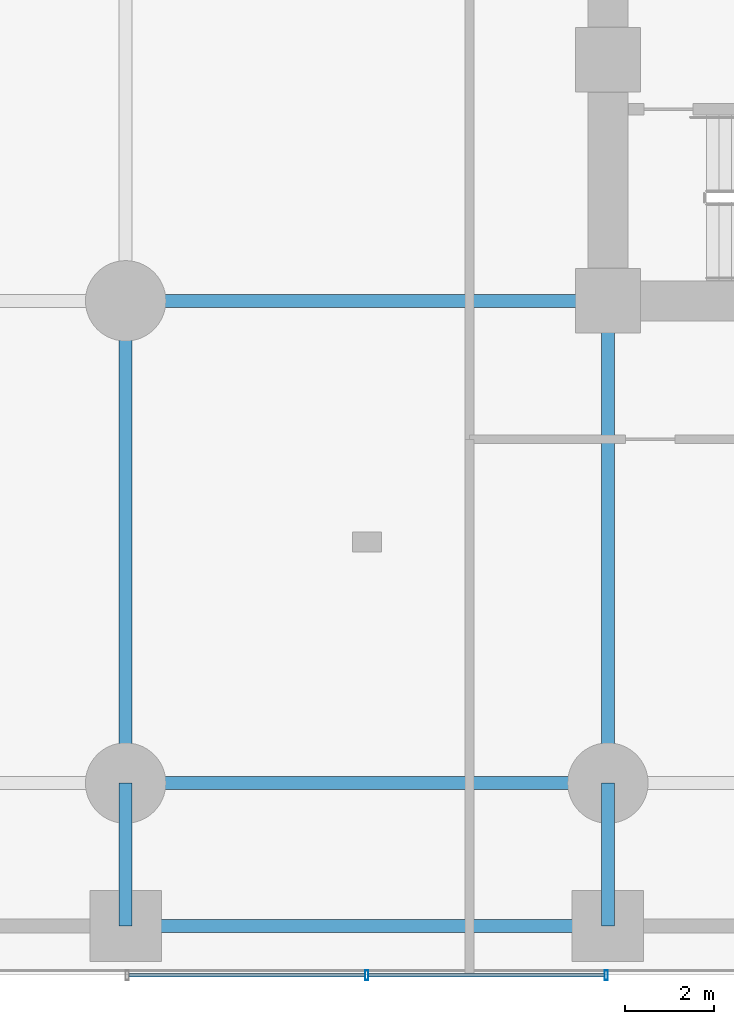
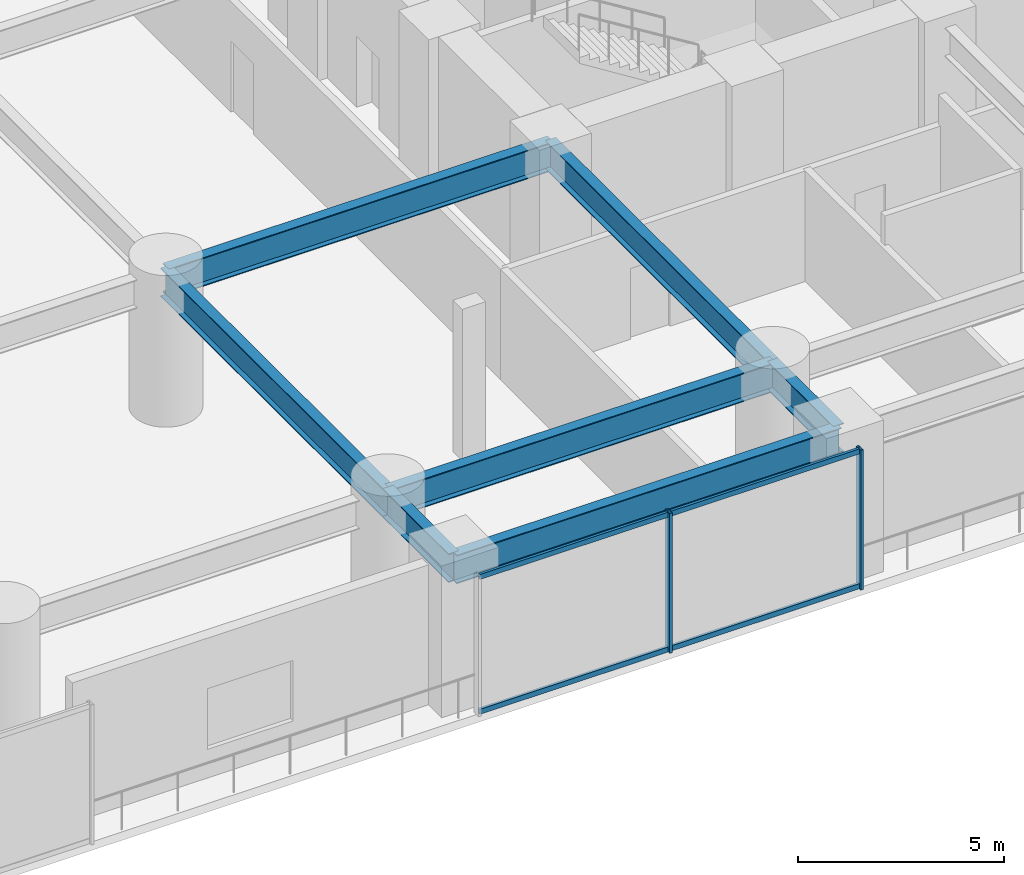
# One storey, part 5 of 35: 7 beams, 6 members, 1 element without a shape of its own.
"""IFC4 building model written with IfcOpenShell, lengths in metres."""

import ifcopenshell
import ifcopenshell.guid

model = None  # the IFC model being written
_history = None  # IfcOwnerHistory: only IFC2X3 demands one
_inside = {}  # id of a spatial element -> (the spatial element, [elements in it])
_under = {}  # id of a project, library or spatial element -> (it, [spatial elements below it])
_declared = {}  # id of a project -> (the project, [libraries it declares])
_typed = {}  # id of a type object -> (the type object, [elements of that type])
_made_of = {}  # id of a material, layer set ... -> (it, [elements and type objects made of it])


def new_model(schema):
    """Start an empty IFC model of exactly this schema.

    Asked for "IFC4X3", IfcOpenShell would pick the latest addendum, in which some entities
    have other attributes; the version numbers below select the first issue.
    IFC2X3 requires an IfcOwnerHistory on every rooted entity: one is made here for all.
    """
    global model, _history
    if schema == "IFC4X3":
        model = ifcopenshell.file(schema_version=(4, 3, 0, 0))
    else:
        model = ifcopenshell.file(schema=schema)
    _inside.clear()
    _under.clear()
    _declared.clear()
    _typed.clear()
    _made_of.clear()
    _history = None
    if model.schema == "IFC2X3":
        org = make("IfcOrganization", Name="unknown")
        user = make(
            "IfcPersonAndOrganization",
            ThePerson=make("IfcPerson", FamilyName="unknown"),
            TheOrganization=org,
        )
        app = make(
            "IfcApplication",
            ApplicationDeveloper=org,
            Version="unknown",
            ApplicationFullName="unknown",
            ApplicationIdentifier="unknown",
        )
        _history = make(
            "IfcOwnerHistory",
            OwningUser=user,
            OwningApplication=app,
            ChangeAction="ADDED",
            CreationDate=0,
        )
    return model


def make(cls, **values):
    """One entity of the class cls with the attributes given. An attribute that is None is left unset."""
    return model.create_entity(
        cls, **{name: value for name, value in values.items() if value is not None}
    )


def rooted(cls, **values):
    """An entity with a GlobalId (a new one), such as an element, a storey or a relation."""
    return make(cls, GlobalId=ifcopenshell.guid.new(), OwnerHistory=_history, **values)


def si_unit(unit_type, name, prefix=None):
    """IfcSIUnit, for example si_unit("LENGTHUNIT", "METRE", prefix="MILLI")."""
    return make("IfcSIUnit", UnitType=unit_type, Prefix=prefix, Name=name)


def assignment(units):
    """IfcUnitAssignment: the units of a project."""
    return None if units is None else make("IfcUnitAssignment", Units=units)


def point(xyz):
    """IfcCartesianPoint."""
    return None if xyz is None else make("IfcCartesianPoint", Coordinates=xyz)


def direction(xyz):
    """IfcDirection."""
    return None if xyz is None else make("IfcDirection", DirectionRatios=xyz)


def frame(location, z_axis=None, x_axis=None):
    """IfcAxis2Placement3D, a coordinate frame: its origin and axes. An axis left out is left unset."""
    return make(
        "IfcAxis2Placement3D",
        Location=point(location),
        Axis=direction(z_axis),
        RefDirection=direction(x_axis),
    )


def frame_2d(location, x_axis=None):
    """IfcAxis2Placement2D, a coordinate frame in the plane: its origin and x axis."""
    return make(
        "IfcAxis2Placement2D", Location=point(location), RefDirection=direction(x_axis)
    )


def origin():
    """The frame at (0, 0, 0) with its axes left unset."""
    return frame((0.0, 0.0, 0.0))


def origin_2d():
    """The frame at (0, 0) in the plane with its x axis left unset."""
    return frame_2d((0.0, 0.0))


def place(relative_to, where):
    """IfcLocalPlacement: puts the frame where relative to a parent placement (None: the world)."""
    return make(
        "IfcLocalPlacement", PlacementRelTo=relative_to, RelativePlacement=where
    )


def context(
    kind, dimensions, precision=None, world=None, true_north=None, identifier=None
):
    """IfcGeometricRepresentationContext, for example the 3D "Model" context."""
    return make(
        "IfcGeometricRepresentationContext",
        ContextIdentifier=identifier,
        ContextType=kind,
        CoordinateSpaceDimension=dimensions,
        Precision=precision,
        WorldCoordinateSystem=world,
        TrueNorth=true_north,
    )


def subcontext(parent, identifier, kind, view, scale=None):
    """IfcGeometricRepresentationSubContext, for example "Body" below "Model"."""
    return make(
        "IfcGeometricRepresentationSubContext",
        ContextIdentifier=identifier,
        ContextType=kind,
        ParentContext=parent,
        TargetScale=scale,
        TargetView=view,
    )


def project(units=None, contexts=None):
    """IfcProject with its units and contexts."""
    return rooted(
        "IfcProject",
        Name="project",
        RepresentationContexts=contexts,
        UnitsInContext=assignment(units),
    )


def spatial(cls, under=None, at=None, **own):
    """A site, building, storey or space (cls), placed at a placement, below another one or the project."""
    s = rooted(cls, ObjectPlacement=at, **own)
    if under is not None:
        _under.setdefault(under.id(), (under, []))[1].append(s)
    return s


def profile(cls, at=None, kind="AREA", **sizes):
    """A parametric profile (cls). Its sizes go by their IFC names, for example OverallWidth=200.0."""
    return make(cls, ProfileType=kind, Position=at, **sizes)


def hollow_rectangle(**sizes):
    """IfcRectangleHollowProfileDef."""
    return profile("IfcRectangleHollowProfileDef", **sizes)


def i_section(**sizes):
    """IfcIShapeProfileDef."""
    return profile("IfcIShapeProfileDef", **sizes)


def extrude(swept, where, along, depth):
    """IfcExtrudedAreaSolid: the profile swept, set in the frame where, extruded along a direction by depth."""
    return make(
        "IfcExtrudedAreaSolid",
        SweptArea=swept,
        Position=where,
        ExtrudedDirection=direction(along),
        Depth=depth,
    )


def shape(context_of_items, identifier, shape_type, items):
    """IfcShapeRepresentation: the items that make up one representation, for example the "Body"."""
    return make(
        "IfcShapeRepresentation",
        ContextOfItems=context_of_items,
        RepresentationIdentifier=identifier,
        RepresentationType=shape_type,
        Items=items,
    )


def material(Name=None, Category=None):
    """IfcMaterial."""
    return make("IfcMaterial", Name=Name, Category=Category)


def layer(
    of_material, thickness, ventilated=None, Name=None, Category=None, Priority=None
):
    """IfcMaterialLayer: one layer of a wall or slab, of a material (None: an air gap)."""
    return make(
        "IfcMaterialLayer",
        Material=of_material,
        LayerThickness=thickness,
        IsVentilated=ventilated,
        Name=Name,
        Category=Category,
        Priority=Priority,
    )


def layer_set(layers, Name=None):
    """IfcMaterialLayerSet."""
    return make("IfcMaterialLayerSet", MaterialLayers=layers, LayerSetName=Name)


def material_profile(
    of_material, cross_section, Name=None, Category=None, Priority=None
):
    """IfcMaterialProfile: a cross section and its material."""
    return make(
        "IfcMaterialProfile",
        Name=Name,
        Material=of_material,
        Profile=cross_section,
        Priority=Priority,
        Category=Category,
    )


def profile_set(profiles, Name=None, composite=None):
    """IfcMaterialProfileSet."""
    return make(
        "IfcMaterialProfileSet",
        Name=Name,
        MaterialProfiles=profiles,
        CompositeProfile=composite,
    )


def made_of(thing, what):
    """Note that an element or type object is made of a material, layer set ...; save() writes the relation."""
    if what is not None:
        _made_of.setdefault(what.id(), (what, []))[1].append(thing)
    return thing


def type_object(cls, material=None, **own):
    """A type object (cls), such as IfcWallType, which elements share."""
    return made_of(rooted(cls, **own), material)


def element(
    cls,
    number,
    at=None,
    inside=None,
    cuts=None,
    type_object=None,
    material=None,
    context=None,
    identifier="Body",
    shape_type=None,
    held_by="IfcProductDefinitionShape",
    body=None,
    shapes=None,
    **own,
):
    """One element of the class cls, such as IfcWall. Its Tag is "e" and its number.

    at: its placement. inside: the storey or other place that contains it. cuts: it is an
    opening in that element (IfcRelVoidsElement). A single representation is given by context,
    identifier, shape_type and body (its items); several are given by shapes. held_by: the class
    of the entity that holds the representations. save() writes the other relations.
    """
    e = rooted(cls, Tag="e%d" % number, ObjectPlacement=at, **own)
    if body is not None:
        shapes = [shape(context, identifier, shape_type, body)]
    if shapes is not None:
        e.Representation = make(held_by, Representations=shapes)
    if inside is not None:
        _inside.setdefault(inside.id(), (inside, []))[1].append(e)
    if cuts is not None:
        rooted(
            "IfcRelVoidsElement", RelatingBuildingElement=cuts, RelatedOpeningElement=e
        )
    if type_object is not None:
        _typed.setdefault(type_object.id(), (type_object, []))[1].append(e)
    return made_of(e, material)


def aggregate(whole, parts):
    """IfcRelAggregates: a whole, such as a stair, and the parts it consists of."""
    return rooted("IfcRelAggregates", RelatingObject=whole, RelatedObjects=parts)


def save(model, path):
    """Write the relations noted so far, then the file.

    IfcRelAggregates (storeys below a building ...), IfcRelContainedInSpatialStructure (elements
    in a storey), IfcRelDefinesByType, IfcRelAssociatesMaterial and IfcRelDeclares: one each for
    every whole, place, type object, material and project.
    """
    for whole, parts in _under.values():
        aggregate(whole, parts)
    for where, things in _inside.values():
        rooted(
            "IfcRelContainedInSpatialStructure",
            RelatedElements=things,
            RelatingStructure=where,
        )
    for kind, things in _typed.values():
        rooted("IfcRelDefinesByType", RelatedObjects=things, RelatingType=kind)
    for what, things in _made_of.values():
        rooted("IfcRelAssociatesMaterial", RelatedObjects=things, RelatingMaterial=what)
    for by, libraries in _declared.values():
        rooted("IfcRelDeclares", RelatingContext=by, RelatedDefinitions=libraries)
    model.write(path)


model = new_model("IFC4")

# Units and contexts
model_context = context("Model", 3, precision=1e-05, world=origin(), true_north=direction((0.0, 1.0)))
body_context = subcontext(model_context, "Body", "Model", "MODEL_VIEW")
ifc_project = project(units=[si_unit("LENGTHUNIT", "METRE"), si_unit("AREAUNIT", "SQUARE_METRE"), si_unit("VOLUMEUNIT", "CUBIC_METRE"), si_unit("PLANEANGLEUNIT", "RADIAN"), si_unit("MASSUNIT", "GRAM", prefix="KILO")], contexts=[model_context])

# Site, building, storey
site_placement = place(None, origin())
site = spatial("IfcSite", under=ifc_project, at=site_placement, CompositionType="ELEMENT")
building_placement = place(site_placement, origin())
building = spatial("IfcBuilding", under=site, at=building_placement, Name="Surkhivell Harbour Commons", CompositionType="ELEMENT")
storey_placement = place(building_placement, frame((0.0, 0.0, 13.5)))
storey = spatial("IfcBuildingStorey", under=building, at=storey_placement, Name="L03", CompositionType="ELEMENT", Elevation=13.5)

# Beams
ifc_material_1 = material(Name="Steel S460", Category="steel")
ifc_material_profile_1 = material_profile(ifc_material_1, i_section(OverallWidth=0.2939453125, OverallDepth=0.85107421875, WebThickness=0.01611328125, FlangeThickness=0.02685546875, at=origin_2d()), Name="UB838x292x226")
ifc_profile_set_1 = profile_set([ifc_material_profile_1], Name="Steel S460")
beam_type = type_object("IfcBeamType", Name="BM-SPN-838", PredefinedType="SPANDREL", material=ifc_profile_set_1)
beam_1_placement = place(storey_placement, frame((-21.60009765625, -24.800048828125, 3.724609375), z_axis=(0.0, 1.0, 0.0), x_axis=(-1.0, 0.0, 0.0)))
element("IfcBeam", 1, at=beam_1_placement, inside=storey, type_object=beam_type, Name="L03 Framing Beam (-21.6,-24.8)", PredefinedType="SPANDREL", context=body_context, shape_type="SweptSolid", body=[
    extrude(i_section(OverallWidth=0.2939453125, OverallDepth=0.85107421875, WebThickness=0.01611328125, FlangeThickness=0.02685546875, at=origin_2d()), origin(), (0.0, 0.0, 1.0), 3.199951171875),
])
for number, where, z_axis, x_axis, name in (
    (2, (-21.60009765625, -24.800048828125, 3.724609375), (1.0, 0.0, 0.0), (0.0, 1.0, 0.0), "L03 Framing Beam (-21.6,-24.8)"),
    (3, (-21.60009765625, -21.60009765625, 3.724609375), (0.0, 1.0, 0.0), (-1.0, 0.0, 0.0), "L03 Framing Beam (-21.6,-21.6)"),
    (4, (-21.60009765625, -21.60009765625, 3.724609375), (1.0, 0.0, 0.0), (0.0, 1.0, 0.0), "L03 Framing Beam (-21.6,-21.6)"),
    (5, (-21.60009765625, -10.800048828125, 3.724609375), (1.0, 0.0, 0.0), (0.0, 1.0, 0.0), "L03 Framing Beam (-21.6,-10.8)"),
):
    element("IfcBeam", number, at=place(storey_placement, frame(where, z_axis=z_axis, x_axis=x_axis)), inside=storey, type_object=beam_type, Name=name, PredefinedType="SPANDREL", context=body_context, shape_type="SweptSolid", body=[
        extrude(i_section(OverallWidth=0.2939453125, OverallDepth=0.85107421875, WebThickness=0.01611328125, FlangeThickness=0.02685546875, at=origin_2d()), origin(), (0.0, 0.0, 1.0), 10.800048828125),
    ])
beam_2_placement = place(storey_placement, frame((-10.800048828125, -24.800048828125, 3.724609375), z_axis=(0.0, 1.0, 0.0), x_axis=(-1.0, 0.0, 0.0)))
element("IfcBeam", 6, at=beam_2_placement, inside=storey, type_object=beam_type, Name="L03 Framing Beam (-10.8,-24.8)", PredefinedType="SPANDREL", context=body_context, shape_type="SweptSolid", body=[
    extrude(i_section(OverallWidth=0.2939453125, OverallDepth=0.85107421875, WebThickness=0.01611328125, FlangeThickness=0.02685546875, at=origin_2d()), origin(), (0.0, 0.0, 1.0), 3.199951171875),
])
beam_3_placement = place(storey_placement, frame((-10.800048828125, -21.60009765625, 3.724609375), z_axis=(0.0, 1.0, 0.0), x_axis=(-1.0, 0.0, 0.0)))
element("IfcBeam", 7, at=beam_3_placement, inside=storey, type_object=beam_type, Name="L03 Framing Beam (-10.8,-21.6)", PredefinedType="SPANDREL", context=body_context, shape_type="SweptSolid", body=[
    extrude(i_section(OverallWidth=0.2939453125, OverallDepth=0.85107421875, WebThickness=0.01611328125, FlangeThickness=0.02685546875, at=origin_2d()), origin(), (0.0, 0.0, 1.0), 10.800048828125),
])

# Curtain wall, members
ifc_material_2 = material(Name="Anodised pale-metal aluminium and insulated glazing", Category="aluminium")
ifc_layer = layer(ifc_material_2, 0.239990234375)
ifc_layer_set = layer_set([ifc_layer], Name="Anodised pale-metal aluminium and insulated glazing")
curtain_wall_type = type_object("IfcCurtainWallType", Name="CW-SYS-POD", PredefinedType="NOTDEFINED", material=ifc_layer_set)
curtain_wall_placement = place(storey_placement, origin())
curtain_wall = element("IfcCurtainWall", 8, at=curtain_wall_placement, inside=storey, type_object=curtain_wall_type, Name="L03 Curtain Wall CW-L03-S3", PredefinedType="NOTDEFINED")
ifc_material_3 = material(Name="Anodised pale-metal aluminium alloy 6063-T6", Category="aluminium")
ifc_material_profile_2 = material_profile(ifc_material_3, hollow_rectangle(XDim=0.074951171875, YDim=0.219970703125, WallThickness=0.00390625, at=origin_2d()), Name="ALU-MULL-75x220")
ifc_profile_set_2 = profile_set([ifc_material_profile_2], Name="Anodised pale-metal aluminium alloy 6063-T6")
member_type_1 = type_object("IfcMemberType", Name="CWM-220", PredefinedType="MULLION", material=ifc_profile_set_2)
member_1_placement = place(storey_placement, frame((-10.83740234375, -25.89990234375, 0.0), z_axis=(0.0, 0.0, 1.0), x_axis=(-1.0, 0.0, 0.0)))
member_1 = element("IfcMember", 9, at=member_1_placement, type_object=member_type_1, Name="CW-POD mullion 1", PredefinedType="MULLION", context=body_context, shape_type="SweptSolid", body=[
    extrude(hollow_rectangle(XDim=0.074951171875, YDim=0.219970703125, WallThickness=0.00390625, at=origin_2d()), origin(), (0.0, 0.0, 1.0), 4.14990234375),
])
member_2_placement = place(storey_placement, frame((-16.199951171875, -25.89990234375, 0.0), z_axis=(0.0, 0.0, 1.0), x_axis=(-1.0, 0.0, 0.0)))
member_2 = element("IfcMember", 10, at=member_2_placement, type_object=member_type_1, Name="CW-POD mullion 2", PredefinedType="MULLION", context=body_context, shape_type="SweptSolid", body=[
    extrude(hollow_rectangle(XDim=0.074951171875, YDim=0.219970703125, WallThickness=0.00390625, at=origin_2d()), origin(), (0.0, 0.0, 1.0), 4.14990234375),
])
ifc_material_profile_3 = material_profile(ifc_material_3, hollow_rectangle(XDim=0.074951171875, YDim=0.14990234375, WallThickness=0.00341796875, at=origin_2d()), Name="ALU-TRAN-75x150")
ifc_profile_set_3 = profile_set([ifc_material_profile_3], Name="Anodised pale-metal aluminium alloy 6063-T6")
member_type_2 = type_object("IfcMemberType", Name="CWT-150", PredefinedType="USERDEFINED", material=ifc_profile_set_3)
member_3_placement = place(storey_placement, frame((-10.875, -25.89990234375, 0.074951171875), z_axis=(-1.0, 0.0, 0.0), x_axis=(0.0, -1.0, 0.0)))
member_3 = element("IfcMember", 11, at=member_3_placement, type_object=member_type_2, Name="CW-POD transom 1.1", ObjectType="TRANSOM", PredefinedType="USERDEFINED", context=body_context, shape_type="SweptSolid", body=[
    extrude(hollow_rectangle(XDim=0.074951171875, YDim=0.14990234375, WallThickness=0.00341796875, at=origin_2d()), origin(), (0.0, 0.0, 1.0), 5.28759765625),
])
member_4_placement = place(storey_placement, frame((-10.875, -25.89990234375, 4.074951171875), z_axis=(-1.0, 0.0, 0.0), x_axis=(0.0, -1.0, 0.0)))
member_4 = element("IfcMember", 12, at=member_4_placement, type_object=member_type_2, Name="CW-POD transom 1.2", ObjectType="TRANSOM", PredefinedType="USERDEFINED", context=body_context, shape_type="SweptSolid", body=[
    extrude(hollow_rectangle(XDim=0.074951171875, YDim=0.14990234375, WallThickness=0.00341796875, at=origin_2d()), origin(), (0.0, 0.0, 1.0), 5.28759765625),
])
member_5_placement = place(storey_placement, frame((-16.237548828125, -25.89990234375, 0.074951171875), z_axis=(-1.0, 0.0, 0.0), x_axis=(0.0, -1.0, 0.0)))
member_5 = element("IfcMember", 13, at=member_5_placement, type_object=member_type_2, Name="CW-POD transom 2.1", ObjectType="TRANSOM", PredefinedType="USERDEFINED", context=body_context, shape_type="SweptSolid", body=[
    extrude(hollow_rectangle(XDim=0.074951171875, YDim=0.14990234375, WallThickness=0.00341796875, at=origin_2d()), origin(), (0.0, 0.0, 1.0), 5.287353515625),
])
member_6_placement = place(storey_placement, frame((-16.237548828125, -25.89990234375, 4.074951171875), z_axis=(-1.0, 0.0, 0.0), x_axis=(0.0, -1.0, 0.0)))
member_6 = element("IfcMember", 14, at=member_6_placement, type_object=member_type_2, Name="CW-POD transom 2.2", ObjectType="TRANSOM", PredefinedType="USERDEFINED", context=body_context, shape_type="SweptSolid", body=[
    extrude(hollow_rectangle(XDim=0.074951171875, YDim=0.14990234375, WallThickness=0.00341796875, at=origin_2d()), origin(), (0.0, 0.0, 1.0), 5.287353515625),
])
aggregate(curtain_wall, [member_1, member_2, member_3, member_4, member_5, member_6])

save(model, "model.ifc")
